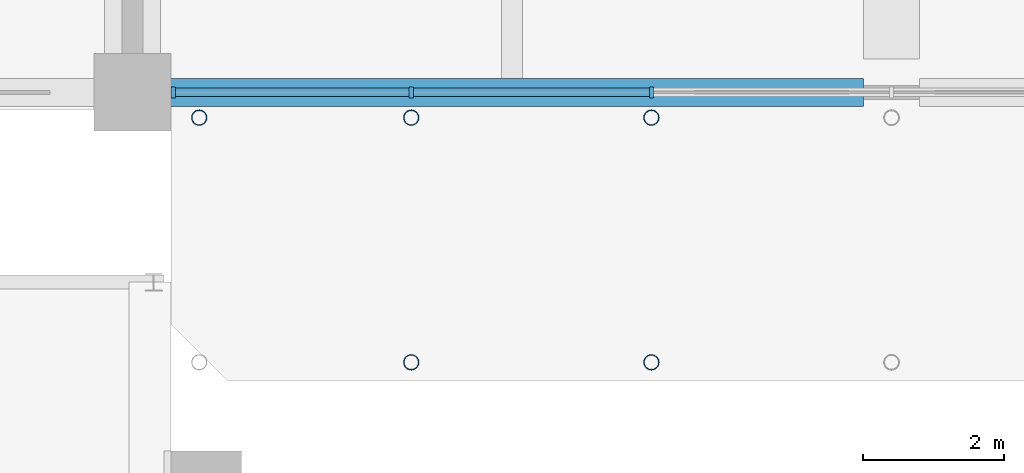
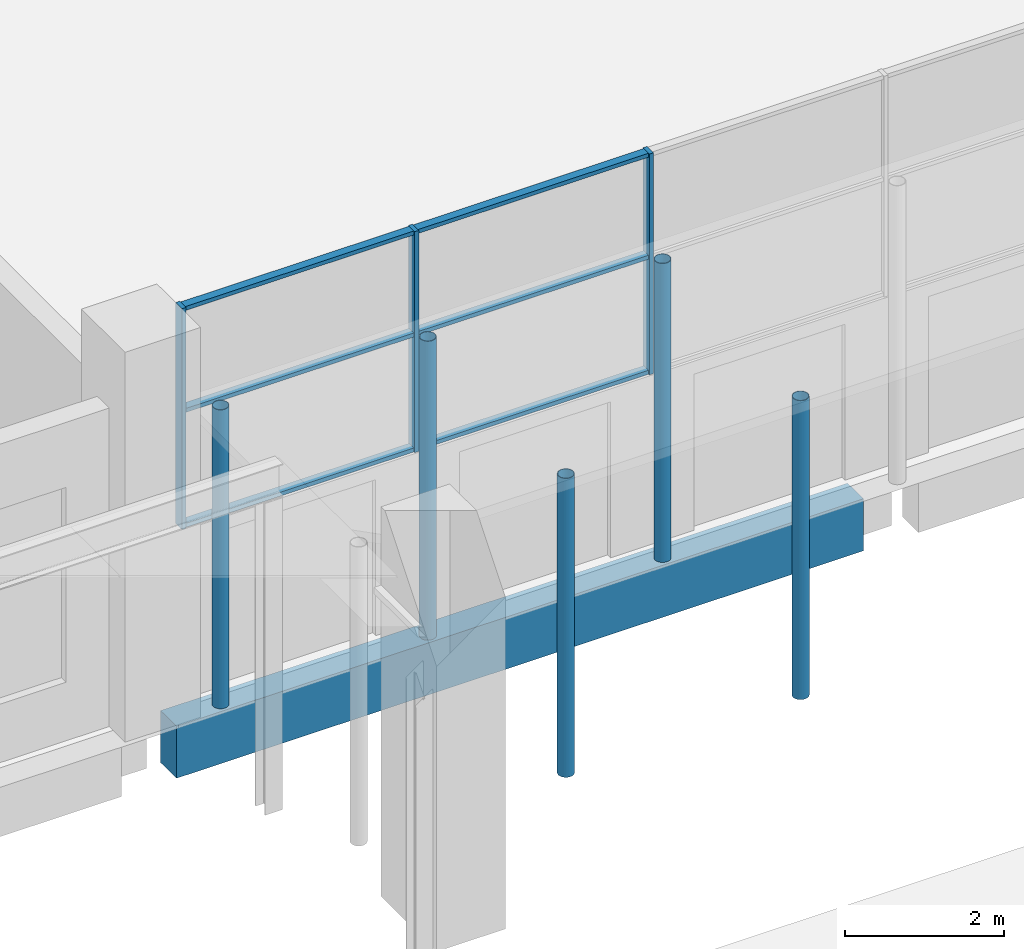
# One storey, part 19 of 71: 14 members, 1 beam, 1 element without a shape of its own.
"""IFC4 building model written with IfcOpenShell, lengths in metres."""

from ifc_helpers import new_model, si_unit, direction, frame, origin, origin_2d, place, context, subcontext, project, spatial, rectangle, hollow_circle, extrude, material, layer, layer_set, material_profile, profile_set, type_object, element, aggregate, save


model = new_model("IFC4")

# Units and contexts
model_context = context("Model", 3, precision=1e-05, world=origin(), true_north=direction((0.0, 1.0)))
body_context = subcontext(model_context, "Body", "Model", "MODEL_VIEW")
ifc_project = project(units=[si_unit("LENGTHUNIT", "METRE"), si_unit("AREAUNIT", "SQUARE_METRE"), si_unit("VOLUMEUNIT", "CUBIC_METRE"), si_unit("PLANEANGLEUNIT", "RADIAN"), si_unit("MASSUNIT", "GRAM", prefix="KILO")], contexts=[model_context])

# Site, building, storey
site_placement = place(None, origin())
site = spatial("IfcSite", under=ifc_project, at=site_placement, CompositionType="ELEMENT")
building_placement = place(site_placement, origin())
building = spatial("IfcBuilding", under=site, at=building_placement, Name="Basin Gate Institute", CompositionType="ELEMENT")
storey_placement = place(building_placement, origin())
storey = spatial("IfcBuildingStorey", under=building, at=storey_placement, Name="L00", CompositionType="ELEMENT", Elevation=0.0)

# Curtain wall, members
ifc_material_1 = material(Name="Aluminium and glass curtain wall", Category="aluminium")
ifc_layer = layer(ifc_material_1, 0.14990234375)
ifc_layer_set = layer_set([ifc_layer], Name="Atrium curtain wall CW81")
curtain_wall_type = type_object("IfcCurtainWallType", Name="Atrium curtain wall CW81", PredefinedType="NOTDEFINED", material=ifc_layer_set)
curtain_wall_placement = place(storey_placement, origin())
curtain_wall = element("IfcCurtainWall", 1, at=curtain_wall_placement, inside=storey, type_object=curtain_wall_type, material=ifc_layer_set, Name="Atrium end screen S L00", PredefinedType="NOTDEFINED")
ifc_material_2 = material(Name="Aluminium mullion", Category="aluminium")
ifc_material_profile_1 = material_profile(ifc_material_2, rectangle(XDim=0.159912109375, YDim=0.06005859375, at=origin_2d()), Name="Atrium mullion MU81 160 x 60")
ifc_profile_set_1 = profile_set([ifc_material_profile_1], Name="Aluminium mullion")
member_type_1 = type_object("IfcMemberType", Name="Atrium mullion MU81", PredefinedType="MULLION", material=ifc_profile_set_1)
member_1_placement = place(storey_placement, frame((79.780029296875, 35.10009765625, 2.60009765625), z_axis=(0.0, 0.0, 1.0), x_axis=(0.0, 1.0, 0.0)))
member_1 = element("IfcMember", 2, at=member_1_placement, type_object=member_type_1, material=ifc_profile_set_1, Name="CW81 mullion 1", PredefinedType="MULLION", context=body_context, shape_type="SweptSolid", body=[
    extrude(rectangle(XDim=0.159912109375, YDim=0.06005859375, at=origin_2d()), origin(), (0.0, 0.0, 1.0), 3.39990234375),
])
member_2_placement = place(storey_placement, frame((83.166748046875, 35.10009765625, 2.60009765625), z_axis=(0.0, 0.0, 1.0), x_axis=(0.0, 1.0, 0.0)))
member_2 = element("IfcMember", 3, at=member_2_placement, type_object=member_type_1, material=ifc_profile_set_1, Name="CW81 mullion 2", PredefinedType="MULLION", context=body_context, shape_type="SweptSolid", body=[
    extrude(rectangle(XDim=0.159912109375, YDim=0.06005859375, at=origin_2d()), origin(), (0.0, 0.0, 1.0), 3.39990234375),
])
member_3_placement = place(storey_placement, frame((86.583251953125, 35.10009765625, 2.60009765625), z_axis=(0.0, 0.0, 1.0), x_axis=(0.0, 1.0, 0.0)))
member_3 = element("IfcMember", 4, at=member_3_placement, type_object=member_type_1, material=ifc_profile_set_1, Name="CW81 mullion 3", PredefinedType="MULLION", context=body_context, shape_type="SweptSolid", body=[
    extrude(rectangle(XDim=0.159912109375, YDim=0.06005859375, at=origin_2d()), origin(), (0.0, 0.0, 1.0), 3.39990234375),
])
ifc_material_3 = material(Name="Aluminium transom", Category="aluminium")
ifc_material_profile_2 = material_profile(ifc_material_3, rectangle(XDim=0.1201171875, YDim=0.06005859375, at=origin_2d()), Name="Atrium transom TR81 120 x 60")
ifc_profile_set_2 = profile_set([ifc_material_profile_2], Name="Aluminium transom")
member_type_2 = type_object("IfcMemberType", Name="Atrium transom TR81", PredefinedType="USERDEFINED", material=ifc_profile_set_2)
member_4_placement = place(storey_placement, frame((79.81005859375, 35.10009765625, 2.6298828125), z_axis=(1.0, 0.0, 0.0), x_axis=(0.0, 1.0, 0.0)))
member_4 = element("IfcMember", 5, at=member_4_placement, type_object=member_type_2, material=ifc_profile_set_2, Name="CW81 transom 1.1", ObjectType="TRANSOM", PredefinedType="USERDEFINED", context=body_context, shape_type="SweptSolid", body=[
    extrude(rectangle(XDim=0.1201171875, YDim=0.06005859375, at=origin_2d()), origin(), (0.0, 0.0, 1.0), 3.32666015625),
])
member_5_placement = place(storey_placement, frame((79.81005859375, 35.10009765625, 4.39990234375), z_axis=(1.0, 0.0, 0.0), x_axis=(0.0, 1.0, 0.0)))
member_5 = element("IfcMember", 6, at=member_5_placement, type_object=member_type_2, material=ifc_profile_set_2, Name="CW81 transom 1.2", ObjectType="TRANSOM", PredefinedType="USERDEFINED", context=body_context, shape_type="SweptSolid", body=[
    extrude(rectangle(XDim=0.1201171875, YDim=0.06005859375, at=origin_2d()), origin(), (0.0, 0.0, 1.0), 3.32666015625),
])
member_6_placement = place(storey_placement, frame((79.81005859375, 35.10009765625, 5.969970703125), z_axis=(1.0, 0.0, 0.0), x_axis=(0.0, 1.0, 0.0)))
member_6 = element("IfcMember", 7, at=member_6_placement, type_object=member_type_2, material=ifc_profile_set_2, Name="CW81 transom 1.3", ObjectType="TRANSOM", PredefinedType="USERDEFINED", context=body_context, shape_type="SweptSolid", body=[
    extrude(rectangle(XDim=0.1201171875, YDim=0.06005859375, at=origin_2d()), origin(), (0.0, 0.0, 1.0), 3.32666015625),
])
member_7_placement = place(storey_placement, frame((83.19677734375, 35.10009765625, 2.6298828125), z_axis=(1.0, 0.0, 0.0), x_axis=(0.0, 1.0, 0.0)))
member_7 = element("IfcMember", 8, at=member_7_placement, type_object=member_type_2, material=ifc_profile_set_2, Name="CW81 transom 2.1", ObjectType="TRANSOM", PredefinedType="USERDEFINED", context=body_context, shape_type="SweptSolid", body=[
    extrude(rectangle(XDim=0.1201171875, YDim=0.06005859375, at=origin_2d()), origin(), (0.0, 0.0, 1.0), 3.3564453125),
])
member_8_placement = place(storey_placement, frame((83.19677734375, 35.10009765625, 4.39990234375), z_axis=(1.0, 0.0, 0.0), x_axis=(0.0, 1.0, 0.0)))
member_8 = element("IfcMember", 9, at=member_8_placement, type_object=member_type_2, material=ifc_profile_set_2, Name="CW81 transom 2.2", ObjectType="TRANSOM", PredefinedType="USERDEFINED", context=body_context, shape_type="SweptSolid", body=[
    extrude(rectangle(XDim=0.1201171875, YDim=0.06005859375, at=origin_2d()), origin(), (0.0, 0.0, 1.0), 3.3564453125),
])
member_9_placement = place(storey_placement, frame((83.19677734375, 35.10009765625, 5.969970703125), z_axis=(1.0, 0.0, 0.0), x_axis=(0.0, 1.0, 0.0)))
member_9 = element("IfcMember", 10, at=member_9_placement, type_object=member_type_2, material=ifc_profile_set_2, Name="CW81 transom 2.3", ObjectType="TRANSOM", PredefinedType="USERDEFINED", context=body_context, shape_type="SweptSolid", body=[
    extrude(rectangle(XDim=0.1201171875, YDim=0.06005859375, at=origin_2d()), origin(), (0.0, 0.0, 1.0), 3.3564453125),
])
aggregate(curtain_wall, [member_1, member_2, member_3, member_4, member_5, member_6, member_7, member_8, member_9])

# Beam
ifc_material_4 = material(Name="Concrete 40 MPa", Category="concrete")
ifc_material_profile_3 = material_profile(ifc_material_4, rectangle(XDim=0.39990234375, YDim=0.800048828125, at=origin_2d()), Name="Beam B2 400 x 800")
ifc_profile_set_3 = profile_set([ifc_material_profile_3], Name="Concrete 40 MPa")
beam_type = type_object("IfcBeamType", Name="Beam B2 R180", PredefinedType="BEAM", material=ifc_profile_set_3)
beam_placement = place(storey_placement, frame((79.60009765625, 35.10009765625, -0.699951171875), z_axis=(1.0, 0.0, 0.0), x_axis=(0.0, 1.0, 0.0)))
element("IfcBeam", 11, at=beam_placement, inside=storey, type_object=beam_type, material=ifc_profile_set_3, Name="BEAM/L00/CAN/W/01", PredefinedType="BEAM", context=body_context, shape_type="SweptSolid", body=[
    extrude(rectangle(XDim=0.39990234375, YDim=0.800048828125, at=origin_2d()), origin(), (0.0, 0.0, 1.0), 10.0),
])

# Members
ifc_material_5 = material(Name="Structural steel SN490", Category="steel")
ifc_material_profile_4 = material_profile(ifc_material_5, hollow_circle(Radius=0.109619140625, WallThickness=0.008056640625, at=origin_2d()), Name="CHS219x8")
ifc_profile_set_4 = profile_set([ifc_material_profile_4], Name="Structural steel SN490")
member_type_3 = type_object("IfcMemberType", Name="Canopy post TD3", PredefinedType="POST", material=ifc_profile_set_4)
for number, where, z_axis, x_axis, name in (
    (12, (80.14990234375, 34.740478515625, -0.050048828125), (0.0, 0.0, 1.0), (1.0, 0.0, 0.0), "Canopy post south 1"),
    (13, (83.166748046875, 34.740478515625, -0.050048828125), (0.0, 0.0, 1.0), (1.0, 0.0, 0.0), "Canopy post south 2"),
    (14, (86.583251953125, 34.740478515625, -0.050048828125), (0.0, 0.0, 1.0), (1.0, 0.0, 0.0), "Canopy post south 3"),
    (15, (83.166748046875, 31.259521484375, -0.050048828125), (0.0, 0.0, 1.0), (1.0, 0.0, 0.0), "Canopy post south 9"),
    (16, (86.583251953125, 31.259521484375, -0.050048828125), (0.0, 0.0, 1.0), (1.0, 0.0, 0.0), "Canopy post south 10"),
):
    element("IfcMember", number, at=place(storey_placement, frame(where, z_axis=z_axis, x_axis=x_axis)), inside=storey, type_object=member_type_3, material=ifc_profile_set_4, Name=name, PredefinedType="POST", context=body_context, shape_type="SweptSolid", body=[
        extrude(hollow_circle(Radius=0.109619140625, WallThickness=0.008056640625, at=origin_2d()), origin(), (0.0, 0.0, 1.0), 4.60009765625),
    ])

save(model, "model.ifc")
